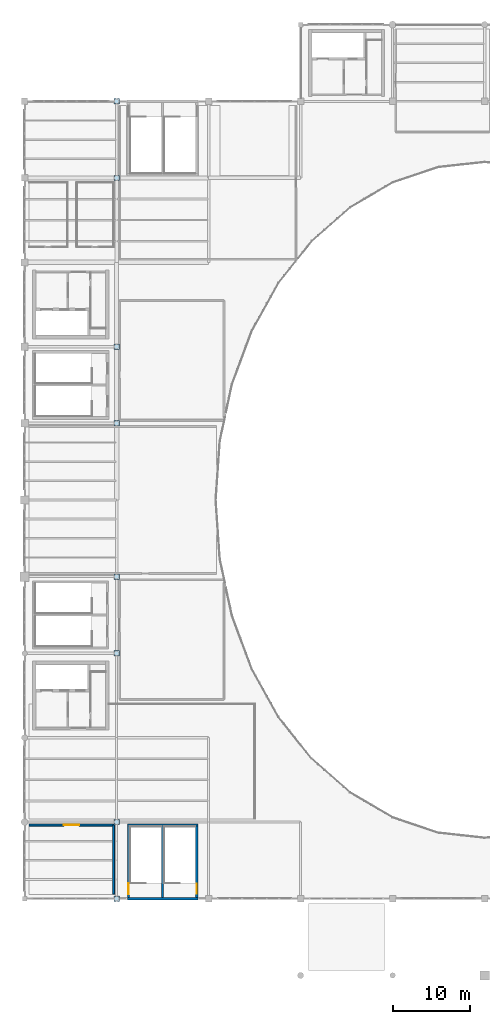
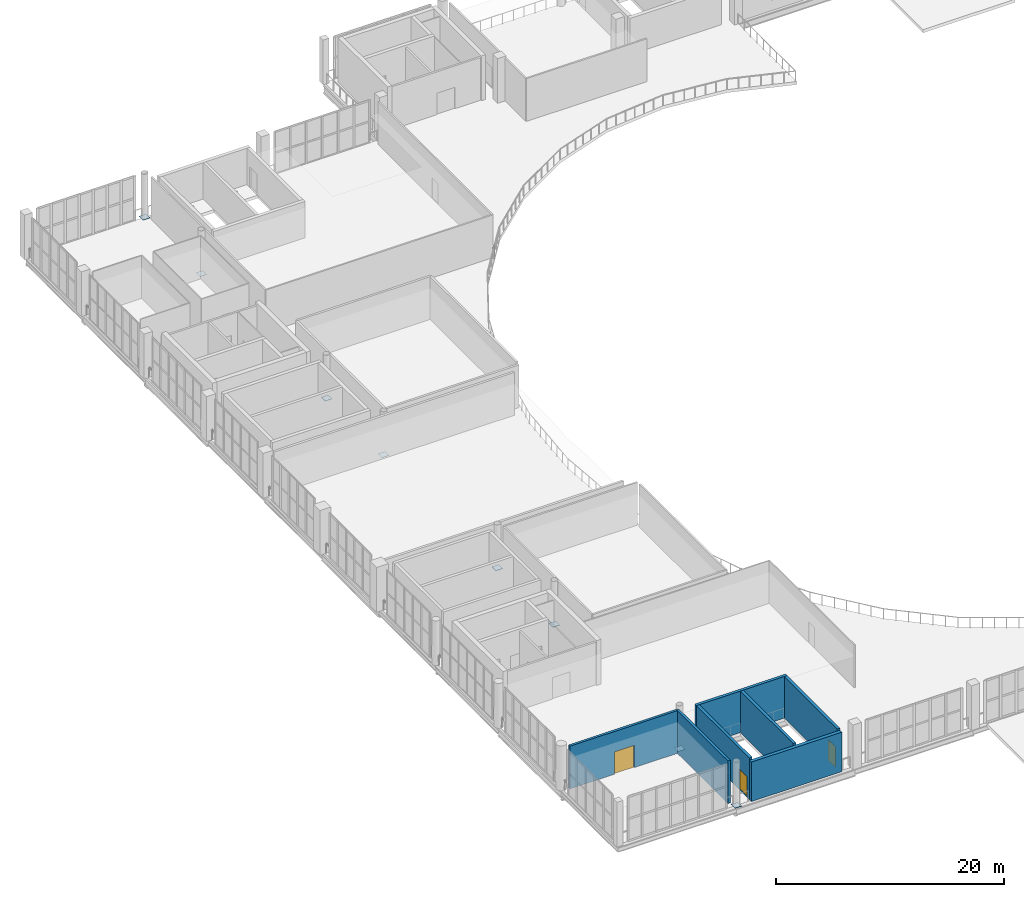
# One storey, part 36 of 49: 8 plates, 7 walls, 3 doors, 3 openings.
"""IFC4 building model written with IfcOpenShell, lengths in metres."""

from ifc_helpers import new_model, si_unit, direction, frame, frame_2d, origin, origin_2d, place, context, subcontext, project, spatial, rectangle, extrude, material, layer, layer_set, type_object, element, fill, save


model = new_model("IFC4")

# Units and contexts
model_context = context("Model", 3, precision=1e-05, world=origin(), true_north=direction((0.0, 1.0)))
body_context = subcontext(model_context, "Body", "Model", "MODEL_VIEW")
ifc_project = project(units=[si_unit("LENGTHUNIT", "METRE"), si_unit("AREAUNIT", "SQUARE_METRE"), si_unit("VOLUMEUNIT", "CUBIC_METRE"), si_unit("PLANEANGLEUNIT", "RADIAN"), si_unit("MASSUNIT", "GRAM", prefix="KILO")], contexts=[model_context])

# Site, building, storey
site_placement = place(None, origin())
site = spatial("IfcSite", under=ifc_project, at=site_placement, CompositionType="ELEMENT")
building_placement = place(site_placement, origin())
building = spatial("IfcBuilding", under=site, at=building_placement, Name="Brinegate Civic Arena", CompositionType="ELEMENT")
storey_placement = place(building_placement, frame((0.0, 0.0, 24.60009765625)))
storey = spatial("IfcBuildingStorey", under=building, at=storey_placement, Name="L05", CompositionType="ELEMENT", Elevation=24.60009765625)

# Plates
ifc_material_1 = material(Name="Steel S355", Category="steel")
ifc_layer_1 = layer(ifc_material_1, 0.02587890625, Name="Steel S355")
ifc_layer_set_1 = layer_set([ifc_layer_1], Name="Steel S355")
plate_type = type_object("IfcPlateType", Name="PLATE-NODE-700X26", PredefinedType="SHEET", material=ifc_layer_set_1)
for number, where, z_axis, x_axis, name in (
    (1, (60.0, 10.0, -0.012939453125), (0.0, 0.0, 1.0), (1.0, 0.0, 0.0), "Cantilever Strut Node Plate NPL-CANT-01"),
    (2, (60.0, 20.0, -0.012939453125), (0.0, 0.0, 1.0), (1.0, 0.0, 0.0), "Cantilever Strut Node Plate NPL-CANT-02"),
    (3, (60.0, 42.0, -0.012939453125), (0.0, 0.0, 1.0), (1.0, 0.0, 0.0), "Cantilever Strut Node Plate NPL-CANT-03"),
    (4, (60.0, 52.0, -0.012939453125), (0.0, 0.0, 1.0), (1.0, 0.0, 0.0), "Cantilever Strut Node Plate NPL-CANT-04"),
    (5, (60.0, 72.0, -0.012939453125), (0.0, 0.0, 1.0), (1.0, 0.0, 0.0), "Cantilever Strut Node Plate NPL-CANT-05"),
    (6, (60.0, 82.0, -0.012939453125), (0.0, 0.0, 1.0), (1.0, 0.0, 0.0), "Cantilever Strut Node Plate NPL-CANT-06"),
    (7, (60.0, 104.0, -0.012939453125), (0.0, 0.0, 1.0), (1.0, 0.0, 0.0), "Cantilever Strut Node Plate NPL-CANT-07"),
    (8, (60.0, 114.0, -0.012939453125), (0.0, 0.0, 1.0), (1.0, 0.0, 0.0), "Cantilever Strut Node Plate NPL-CANT-08"),
):
    element("IfcPlate", number, at=place(storey_placement, frame(where, z_axis=z_axis, x_axis=x_axis)), inside=storey, type_object=plate_type, Name=name, PredefinedType="SHEET", context=body_context, shape_type="SweptSolid", body=[
        extrude(rectangle(XDim=0.699951171875, YDim=0.699951171875, at=origin_2d()), origin(), (0.0, 0.0, 1.0), 0.02587890625),
    ])

# Walls
ifc_material_2 = material(Name="Concrete C50/60", Category="concrete")
ifc_layer_2 = layer(ifc_material_2, 0.35009765625, Name="Concrete C50/60")
ifc_layer_set_2 = layer_set([ifc_layer_2], Name="Concrete C50/60")
wall_type_1 = type_object("IfcWallType", Name="WALL-EXT-STAIR-SHEAR-350", PredefinedType="SHEAR", material=ifc_layer_set_2)
wall_1_placement = place(storey_placement, frame((61.405029296875, 10.0, 0.0), z_axis=(0.0, 0.0, 1.0), x_axis=(1.0, 0.0, 0.0)))
element("IfcWall", 9, at=wall_1_placement, inside=storey, type_object=wall_type_1, Name="Stair ST-02 South Shear Wall L05 (WBB-57)", PredefinedType="SHEAR", context=body_context, shape_type="SweptSolid", body=[
    extrude(rectangle(XDim=9.18994140625, YDim=0.35009765625, at=frame_2d((4.594970703125, 0.0))), origin(), (0.0, 0.0, 1.0), 4.23583984375),
])
ifc_material_3 = material(Name="Concrete C40/50", Category="concrete")
ifc_layer_3 = layer(ifc_material_3, 0.25, Name="Concrete C40/50")
ifc_layer_set_3 = layer_set([ifc_layer_3], Name="Concrete C40/50")
wall_type_2 = type_object("IfcWallType", Name="WALL-INT-SOLID-250", PredefinedType="SOLIDWALL", material=ifc_layer_set_3)
wall_2_placement = place(storey_placement, frame((59.60009765625, 19.60009765625, 0.0), z_axis=(0.0, 0.0, 1.0), x_axis=(0.0, -1.0, 0.0)))
element("IfcWall", 10, at=wall_2_placement, inside=storey, type_object=wall_type_2, Name="North Acoustic AHU and Smoke-Extract Plant Room Partition Wall E1 (WBK-64)", PredefinedType="SOLIDWALL", context=body_context, shape_type="SweptSolid", body=[
    extrude(rectangle(XDim=9.0, YDim=0.25, at=frame_2d((4.5, 0.0))), origin(), (0.0, 0.0, 1.0), 4.579833984375),
])

# Wall, opening, door
wall_3_placement = place(storey_placement, frame((48.60009765625, 19.60009765625, 0.0), z_axis=(0.0, 0.0, 1.0), x_axis=(1.0, 0.0, 0.0)))
wall_3 = element("IfcWall", 11, at=wall_3_placement, inside=storey, type_object=wall_type_2, Name="North Acoustic AHU and Smoke-Extract Plant Room Partition Wall E4 (WBK-65)", PredefinedType="SOLIDWALL", context=body_context, shape_type="SweptSolid", body=[
    extrude(rectangle(XDim=11.0, YDim=0.25, at=frame_2d((5.5, 0.0))), origin(), (0.0, 0.0, 1.0), 4.579833984375),
])
opening_1_placement = place(wall_3_placement, frame((4.5, 0.0, 0.0)))
opening_1 = element("IfcOpeningElement", 12, at=opening_1_placement, cuts=wall_3, Name="Opening D-L05-227", PredefinedType="OPENING", context=body_context, shape_type="SweptSolid", body=[
    extrude(rectangle(XDim=2.0, YDim=2.39990234375, at=frame_2d((1.0, 1.199951171875))), frame((0.0, 0.135009765625, 0.0), z_axis=(0.0, -1.0, 0.0), x_axis=(1.0, 0.0, 0.0)), (0.0, 0.0, 1.0), 0.27001953125),
])
ifc_material_4 = material(Name="Galvanized hurricane steel", Category="steel")
door_type_1 = type_object("IfcDoorType", Name="DOOR-PLANT-2000X2400", OperationType="NOTDEFINED", PredefinedType="DOOR", material=ifc_material_4)
door_1_placement = place(opening_1_placement, origin())
door_1 = element("IfcDoor", 13, at=door_1_placement, inside=storey, type_object=door_type_1, Name="North Acoustic AHU and Smoke-Extract Plant Room Door D-L05-227", OperationType="DOUBLE_DOOR_SINGLE_SWING", OverallHeight=2.39990234375, OverallWidth=2.0, PredefinedType="DOOR", context=body_context, shape_type="SweptSolid", body=[
    extrude(rectangle(XDim=2.0, YDim=2.39990234375, at=frame_2d((1.0, 1.199951171875))), frame((0.0, 0.02490234375, 0.0), z_axis=(0.0, -1.0, 0.0), x_axis=(1.0, 0.0, 0.0)), (0.0, 0.0, 1.0), 0.050048828125),
])
fill(opening_1, door_1)

# Wall
ifc_layer_4 = layer(ifc_material_2, 0.2900390625, Name="Concrete C50/60")
ifc_layer_set_4 = layer_set([ifc_layer_4], Name="Concrete C50/60")
wall_type_3 = type_object("IfcWallType", Name="WALL-STAIR-SHEAR-290", PredefinedType="SHEAR", material=ifc_layer_set_4)
wall_4_placement = place(storey_placement, frame((61.405029296875, 19.60009765625, 0.0), z_axis=(0.0, 0.0, 1.0), x_axis=(1.0, 0.0, 0.0)))
element("IfcWall", 14, at=wall_4_placement, inside=storey, type_object=wall_type_3, Name="Stair ST-02 North Shear Wall L05 (WBB-58)", PredefinedType="SHEAR", context=body_context, shape_type="SweptSolid", body=[
    extrude(rectangle(XDim=9.18994140625, YDim=0.2900390625, at=frame_2d((4.594970703125, 0.0))), origin(), (0.0, 0.0, 1.0), 4.4599609375),
])

# Wall, opening, door
wall_5_placement = place(storey_placement, frame((61.550048828125, 10.175048828125, 0.0), z_axis=(0.0, 0.0, 1.0), x_axis=(0.0, 1.0, 0.0)))
wall_5 = element("IfcWall", 15, at=wall_5_placement, inside=storey, type_object=wall_type_3, Name="Stair ST-02 West Shear Wall L05 (WBB-59)", PredefinedType="SHEAR", context=body_context, shape_type="SweptSolid", body=[
    extrude(rectangle(XDim=9.280029296875, YDim=0.2900390625, at=frame_2d((4.64013671875, 0.0))), origin(), (0.0, 0.0, 1.0), 4.4599609375),
])
opening_2_placement = place(wall_5_placement, frame((0.425048828125, 0.0, 0.0)))
opening_2 = element("IfcOpeningElement", 16, at=opening_2_placement, cuts=wall_5, Name="Opening D-ST02A-L05", PredefinedType="OPENING", context=body_context, shape_type="SweptSolid", body=[
    extrude(rectangle(XDim=1.39990234375, YDim=2.199951171875, at=frame_2d((0.699951171875, 1.10009765625))), frame((0.0, 0.155029296875, 0.0), z_axis=(0.0, -1.0, 0.0), x_axis=(1.0, 0.0, 0.0)), (0.0, 0.0, 1.0), 0.31005859375),
])
door_type_2 = type_object("IfcDoorType", Name="DOOR-STAIR-2400X2200", OperationType="NOTDEFINED", PredefinedType="DOOR", material=ifc_material_4)
door_2_placement = place(opening_2_placement, frame((1.39990234375, 0.0, 0.0), z_axis=(0.0, 0.0, 1.0), x_axis=(-1.0, 0.0, 0.0)))
door_2 = element("IfcDoor", 17, at=door_2_placement, inside=storey, type_object=door_type_2, Name="Protected Exit Stair Door D-ST02A-L05", OperationType="DOUBLE_DOOR_SINGLE_SWING", OverallHeight=2.199951171875, OverallWidth=1.39990234375, PredefinedType="DOOR", context=body_context, shape_type="SweptSolid", body=[
    extrude(rectangle(XDim=1.39990234375, YDim=2.199951171875, at=frame_2d((0.699951171875, 1.10009765625))), frame((0.0, 0.02490234375, 0.0), z_axis=(0.0, -1.0, 0.0), x_axis=(1.0, 0.0, 0.0)), (0.0, 0.0, 1.0), 0.050048828125),
])
fill(opening_2, door_2)

wall_6_placement = place(storey_placement, frame((70.449951171875, 10.175048828125, 0.0), z_axis=(0.0, 0.0, 1.0), x_axis=(0.0, 1.0, 0.0)))
wall_6 = element("IfcWall", 18, at=wall_6_placement, inside=storey, type_object=wall_type_3, Name="Stair ST-02 East Shear Wall L05 (WBB-60)", PredefinedType="SHEAR", context=body_context, shape_type="SweptSolid", body=[
    extrude(rectangle(XDim=9.280029296875, YDim=0.2900390625, at=frame_2d((4.64013671875, 0.0))), origin(), (0.0, 0.0, 1.0), 4.4599609375),
])
opening_3_placement = place(wall_6_placement, frame((0.465087890625, 0.0, 0.0)))
opening_3 = element("IfcOpeningElement", 19, at=opening_3_placement, cuts=wall_6, Name="Opening D-ST02B-L05", PredefinedType="OPENING", context=body_context, shape_type="SweptSolid", body=[
    extrude(rectangle(XDim=1.320068359375, YDim=2.199951171875, at=frame_2d((0.66015625, 1.10009765625))), frame((0.0, 0.155029296875, 0.0), z_axis=(0.0, -1.0, 0.0), x_axis=(1.0, 0.0, 0.0)), (0.0, 0.0, 1.0), 0.31005859375),
])
door_type_3 = type_object("IfcDoorType", Name="DOOR-STAIR-2200X2200", OperationType="NOTDEFINED", PredefinedType="DOOR", material=ifc_material_4)
door_3_placement = place(opening_3_placement, origin())
door_3 = element("IfcDoor", 20, at=door_3_placement, inside=storey, type_object=door_type_3, Name="Protected Exit Stair Door D-ST02B-L05", OperationType="DOUBLE_DOOR_SINGLE_SWING", OverallHeight=2.199951171875, OverallWidth=1.320068359375, PredefinedType="DOOR", context=body_context, shape_type="SweptSolid", body=[
    extrude(rectangle(XDim=1.320068359375, YDim=2.199951171875, at=frame_2d((0.66015625, 1.10009765625))), frame((0.0, 0.02490234375, 0.0), z_axis=(0.0, -1.0, 0.0), x_axis=(1.0, 0.0, 0.0)), (0.0, 0.0, 1.0), 0.050048828125),
])
fill(opening_3, door_3)

# Wall
wall_7_placement = place(storey_placement, frame((66.0, 10.175048828125, 0.0), z_axis=(0.0, 0.0, 1.0), x_axis=(0.0, 1.0, 0.0)))
element("IfcWall", 21, at=wall_7_placement, inside=storey, type_object=wall_type_3, Name="Stair ST-02 Central Dividing Shear Wall L05 (WBB-61)", PredefinedType="SHEAR", context=body_context, shape_type="SweptSolid", body=[
    extrude(rectangle(XDim=9.280029296875, YDim=0.2900390625, at=frame_2d((4.64013671875, 0.0))), origin(), (0.0, 0.0, 1.0), 4.4599609375),
])

save(model, "model.ifc")
